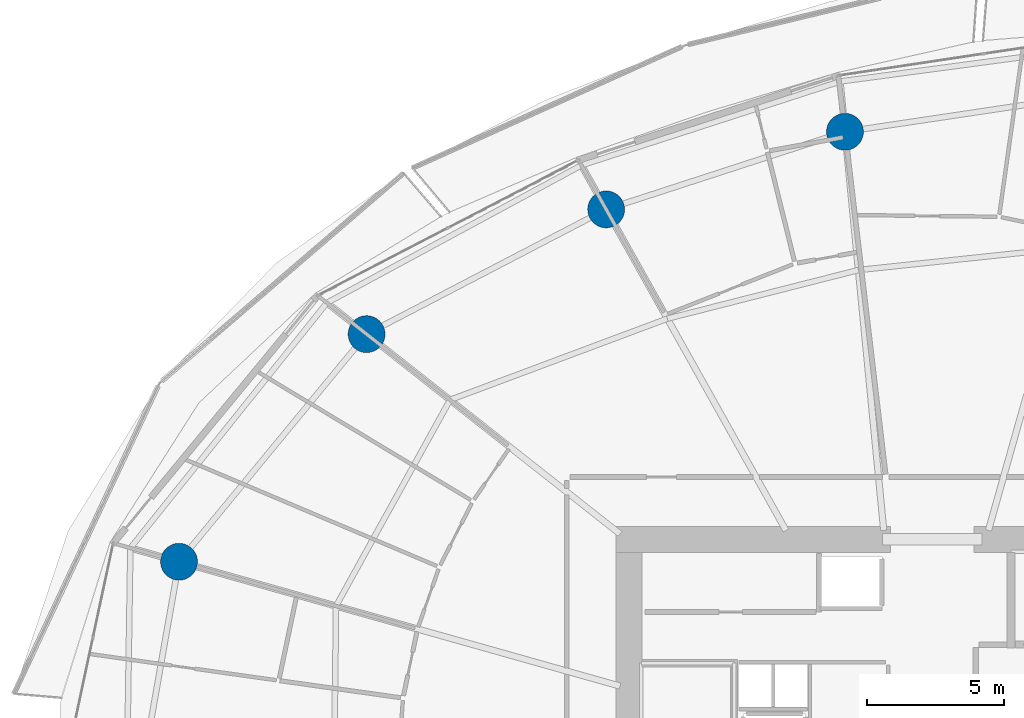
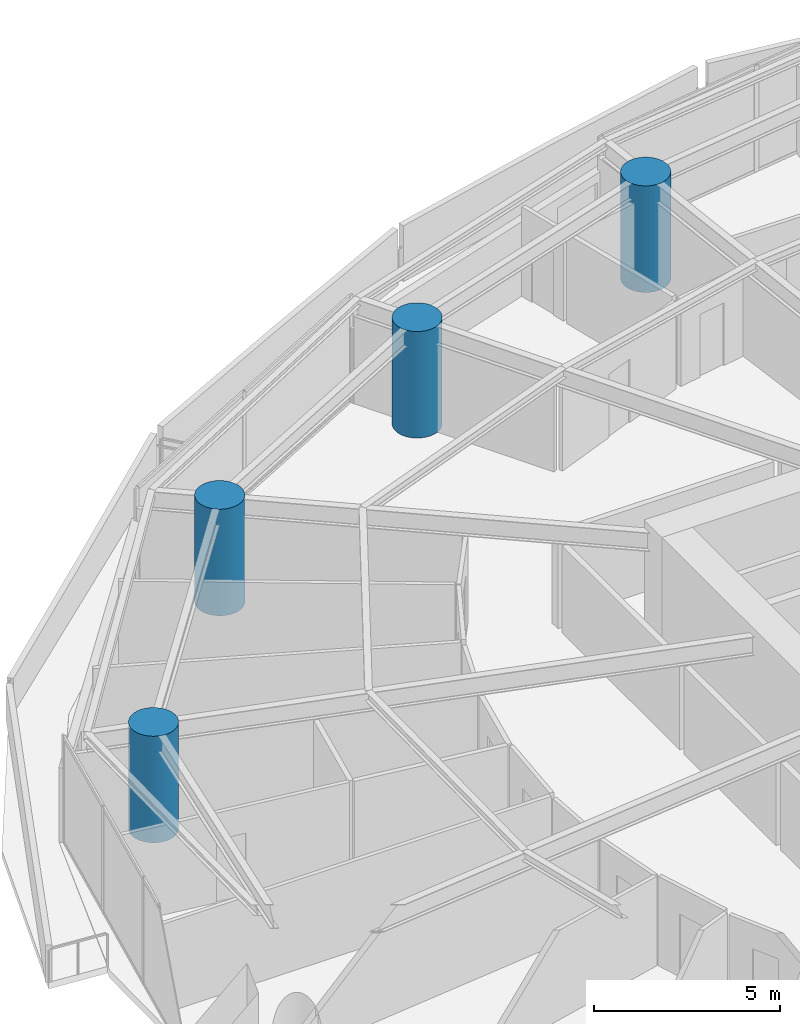
# One storey, part 4 of 31: 4 columns.
"""IFC4 building model written with IfcOpenShell, lengths in metres."""

import ifcopenshell
import ifcopenshell.guid

model = None  # the IFC model being written
_history = None  # IfcOwnerHistory: only IFC2X3 demands one
_inside = {}  # id of a spatial element -> (the spatial element, [elements in it])
_under = {}  # id of a project, library or spatial element -> (it, [spatial elements below it])
_declared = {}  # id of a project -> (the project, [libraries it declares])
_typed = {}  # id of a type object -> (the type object, [elements of that type])
_made_of = {}  # id of a material, layer set ... -> (it, [elements and type objects made of it])


def new_model(schema):
    """Start an empty IFC model of exactly this schema.

    Asked for "IFC4X3", IfcOpenShell would pick the latest addendum, in which some entities
    have other attributes; the version numbers below select the first issue.
    IFC2X3 requires an IfcOwnerHistory on every rooted entity: one is made here for all.
    """
    global model, _history
    if schema == "IFC4X3":
        model = ifcopenshell.file(schema_version=(4, 3, 0, 0))
    else:
        model = ifcopenshell.file(schema=schema)
    _inside.clear()
    _under.clear()
    _declared.clear()
    _typed.clear()
    _made_of.clear()
    _history = None
    if model.schema == "IFC2X3":
        org = make("IfcOrganization", Name="unknown")
        user = make(
            "IfcPersonAndOrganization",
            ThePerson=make("IfcPerson", FamilyName="unknown"),
            TheOrganization=org,
        )
        app = make(
            "IfcApplication",
            ApplicationDeveloper=org,
            Version="unknown",
            ApplicationFullName="unknown",
            ApplicationIdentifier="unknown",
        )
        _history = make(
            "IfcOwnerHistory",
            OwningUser=user,
            OwningApplication=app,
            ChangeAction="ADDED",
            CreationDate=0,
        )
    return model


def make(cls, **values):
    """One entity of the class cls with the attributes given. An attribute that is None is left unset."""
    return model.create_entity(
        cls, **{name: value for name, value in values.items() if value is not None}
    )


def rooted(cls, **values):
    """An entity with a GlobalId (a new one), such as an element, a storey or a relation."""
    return make(cls, GlobalId=ifcopenshell.guid.new(), OwnerHistory=_history, **values)


def si_unit(unit_type, name, prefix=None):
    """IfcSIUnit, for example si_unit("LENGTHUNIT", "METRE", prefix="MILLI")."""
    return make("IfcSIUnit", UnitType=unit_type, Prefix=prefix, Name=name)


def assignment(units):
    """IfcUnitAssignment: the units of a project."""
    return None if units is None else make("IfcUnitAssignment", Units=units)


def point(xyz):
    """IfcCartesianPoint."""
    return None if xyz is None else make("IfcCartesianPoint", Coordinates=xyz)


def direction(xyz):
    """IfcDirection."""
    return None if xyz is None else make("IfcDirection", DirectionRatios=xyz)


def frame(location, z_axis=None, x_axis=None):
    """IfcAxis2Placement3D, a coordinate frame: its origin and axes. An axis left out is left unset."""
    return make(
        "IfcAxis2Placement3D",
        Location=point(location),
        Axis=direction(z_axis),
        RefDirection=direction(x_axis),
    )


def frame_2d(location, x_axis=None):
    """IfcAxis2Placement2D, a coordinate frame in the plane: its origin and x axis."""
    return make(
        "IfcAxis2Placement2D", Location=point(location), RefDirection=direction(x_axis)
    )


def origin():
    """The frame at (0, 0, 0) with its axes left unset."""
    return frame((0.0, 0.0, 0.0))


def origin_2d():
    """The frame at (0, 0) in the plane with its x axis left unset."""
    return frame_2d((0.0, 0.0))


def place(relative_to, where):
    """IfcLocalPlacement: puts the frame where relative to a parent placement (None: the world)."""
    return make(
        "IfcLocalPlacement", PlacementRelTo=relative_to, RelativePlacement=where
    )


def context(
    kind, dimensions, precision=None, world=None, true_north=None, identifier=None
):
    """IfcGeometricRepresentationContext, for example the 3D "Model" context."""
    return make(
        "IfcGeometricRepresentationContext",
        ContextIdentifier=identifier,
        ContextType=kind,
        CoordinateSpaceDimension=dimensions,
        Precision=precision,
        WorldCoordinateSystem=world,
        TrueNorth=true_north,
    )


def subcontext(parent, identifier, kind, view, scale=None):
    """IfcGeometricRepresentationSubContext, for example "Body" below "Model"."""
    return make(
        "IfcGeometricRepresentationSubContext",
        ContextIdentifier=identifier,
        ContextType=kind,
        ParentContext=parent,
        TargetScale=scale,
        TargetView=view,
    )


def project(units=None, contexts=None):
    """IfcProject with its units and contexts."""
    return rooted(
        "IfcProject",
        Name="project",
        RepresentationContexts=contexts,
        UnitsInContext=assignment(units),
    )


def spatial(cls, under=None, at=None, **own):
    """A site, building, storey or space (cls), placed at a placement, below another one or the project."""
    s = rooted(cls, ObjectPlacement=at, **own)
    if under is not None:
        _under.setdefault(under.id(), (under, []))[1].append(s)
    return s


def profile(cls, at=None, kind="AREA", **sizes):
    """A parametric profile (cls). Its sizes go by their IFC names, for example OverallWidth=200.0."""
    return make(cls, ProfileType=kind, Position=at, **sizes)


def circle(**sizes):
    """IfcCircleProfileDef."""
    return profile("IfcCircleProfileDef", **sizes)


def extrude(swept, where, along, depth):
    """IfcExtrudedAreaSolid: the profile swept, set in the frame where, extruded along a direction by depth."""
    return make(
        "IfcExtrudedAreaSolid",
        SweptArea=swept,
        Position=where,
        ExtrudedDirection=direction(along),
        Depth=depth,
    )


def shape(context_of_items, identifier, shape_type, items):
    """IfcShapeRepresentation: the items that make up one representation, for example the "Body"."""
    return make(
        "IfcShapeRepresentation",
        ContextOfItems=context_of_items,
        RepresentationIdentifier=identifier,
        RepresentationType=shape_type,
        Items=items,
    )


def material(Name=None, Category=None):
    """IfcMaterial."""
    return make("IfcMaterial", Name=Name, Category=Category)


def material_profile(
    of_material, cross_section, Name=None, Category=None, Priority=None
):
    """IfcMaterialProfile: a cross section and its material."""
    return make(
        "IfcMaterialProfile",
        Name=Name,
        Material=of_material,
        Profile=cross_section,
        Priority=Priority,
        Category=Category,
    )


def profile_set(profiles, Name=None, composite=None):
    """IfcMaterialProfileSet."""
    return make(
        "IfcMaterialProfileSet",
        Name=Name,
        MaterialProfiles=profiles,
        CompositeProfile=composite,
    )


def made_of(thing, what):
    """Note that an element or type object is made of a material, layer set ...; save() writes the relation."""
    if what is not None:
        _made_of.setdefault(what.id(), (what, []))[1].append(thing)
    return thing


def type_object(cls, material=None, **own):
    """A type object (cls), such as IfcWallType, which elements share."""
    return made_of(rooted(cls, **own), material)


def element(
    cls,
    number,
    at=None,
    inside=None,
    cuts=None,
    type_object=None,
    material=None,
    context=None,
    identifier="Body",
    shape_type=None,
    held_by="IfcProductDefinitionShape",
    body=None,
    shapes=None,
    **own,
):
    """One element of the class cls, such as IfcWall. Its Tag is "e" and its number.

    at: its placement. inside: the storey or other place that contains it. cuts: it is an
    opening in that element (IfcRelVoidsElement). A single representation is given by context,
    identifier, shape_type and body (its items); several are given by shapes. held_by: the class
    of the entity that holds the representations. save() writes the other relations.
    """
    e = rooted(cls, Tag="e%d" % number, ObjectPlacement=at, **own)
    if body is not None:
        shapes = [shape(context, identifier, shape_type, body)]
    if shapes is not None:
        e.Representation = make(held_by, Representations=shapes)
    if inside is not None:
        _inside.setdefault(inside.id(), (inside, []))[1].append(e)
    if cuts is not None:
        rooted(
            "IfcRelVoidsElement", RelatingBuildingElement=cuts, RelatedOpeningElement=e
        )
    if type_object is not None:
        _typed.setdefault(type_object.id(), (type_object, []))[1].append(e)
    return made_of(e, material)


def aggregate(whole, parts):
    """IfcRelAggregates: a whole, such as a stair, and the parts it consists of."""
    return rooted("IfcRelAggregates", RelatingObject=whole, RelatedObjects=parts)


def save(model, path):
    """Write the relations noted so far, then the file.

    IfcRelAggregates (storeys below a building ...), IfcRelContainedInSpatialStructure (elements
    in a storey), IfcRelDefinesByType, IfcRelAssociatesMaterial and IfcRelDeclares: one each for
    every whole, place, type object, material and project.
    """
    for whole, parts in _under.values():
        aggregate(whole, parts)
    for where, things in _inside.values():
        rooted(
            "IfcRelContainedInSpatialStructure",
            RelatedElements=things,
            RelatingStructure=where,
        )
    for kind, things in _typed.values():
        rooted("IfcRelDefinesByType", RelatedObjects=things, RelatingType=kind)
    for what, things in _made_of.values():
        rooted("IfcRelAssociatesMaterial", RelatedObjects=things, RelatingMaterial=what)
    for by, libraries in _declared.values():
        rooted("IfcRelDeclares", RelatingContext=by, RelatedDefinitions=libraries)
    model.write(path)


model = new_model("IFC4")

# Units and contexts
model_context = context("Model", 3, precision=1e-05, world=origin(), true_north=direction((0.0, 1.0)))
body_context = subcontext(model_context, "Body", "Model", "MODEL_VIEW")
ifc_project = project(units=[si_unit("LENGTHUNIT", "METRE"), si_unit("AREAUNIT", "SQUARE_METRE"), si_unit("VOLUMEUNIT", "CUBIC_METRE"), si_unit("PLANEANGLEUNIT", "RADIAN"), si_unit("MASSUNIT", "GRAM", prefix="KILO")], contexts=[model_context])

# Site, building, storey
site_placement = place(None, origin())
site = spatial("IfcSite", under=ifc_project, at=site_placement, CompositionType="ELEMENT")
building_placement = place(site_placement, origin())
building = spatial("IfcBuilding", under=site, at=building_placement, Name="Kazma Halo Residences", CompositionType="ELEMENT")
storey_placement = place(building_placement, frame((0.0, 0.0, 60.14990234375)))
storey = spatial("IfcBuildingStorey", under=building, at=storey_placement, Name="L14", CompositionType="ELEMENT", Elevation=60.14990234375)

# Columns
ifc_material = material(Name="Concrete C80/95", Category="concrete")
ifc_material_profile = material_profile(ifc_material, circle(Radius=0.675048828125, at=origin_2d()), Name="CIRC1350")
ifc_profile_set = profile_set([ifc_material_profile], Name="Concrete C80/95")
column_type = type_object("IfcColumnType", Name="COL-PERIM-1350", PredefinedType="COLUMN", material=ifc_profile_set)
for number, where, z_axis, x_axis, name in (
    (1, (45.231689453125, 65.389404296875, 0.0), (0.0, 0.0, 1.0), (1.0, 0.0, 0.0), "L14 perimeter ring column P04"),
    (2, (36.49169921875, 62.549560546875, 0.0), (0.0, 0.0, 1.0), (1.0, 0.0, 0.0), "L14 perimeter ring column P05"),
    (3, (27.72412109375, 57.984130859375, 0.0), (0.0, 0.0, 1.0), (1.0, 0.0, 0.0), "L14 perimeter ring column P06"),
    (4, (20.859130859375, 49.654541015625, 0.0), (0.0, 0.0, 1.0), (1.0, 0.0, 0.0), "L14 perimeter ring column P07"),
):
    element("IfcColumn", number, at=place(storey_placement, frame(where, z_axis=z_axis, x_axis=x_axis)), inside=storey, type_object=column_type, Name=name, PredefinedType="COLUMN", context=body_context, shape_type="SweptSolid", body=[
        extrude(circle(Radius=0.675048828125, at=origin_2d()), origin(), (0.0, 0.0, 1.0), 3.5),
    ])

save(model, "model.ifc")
